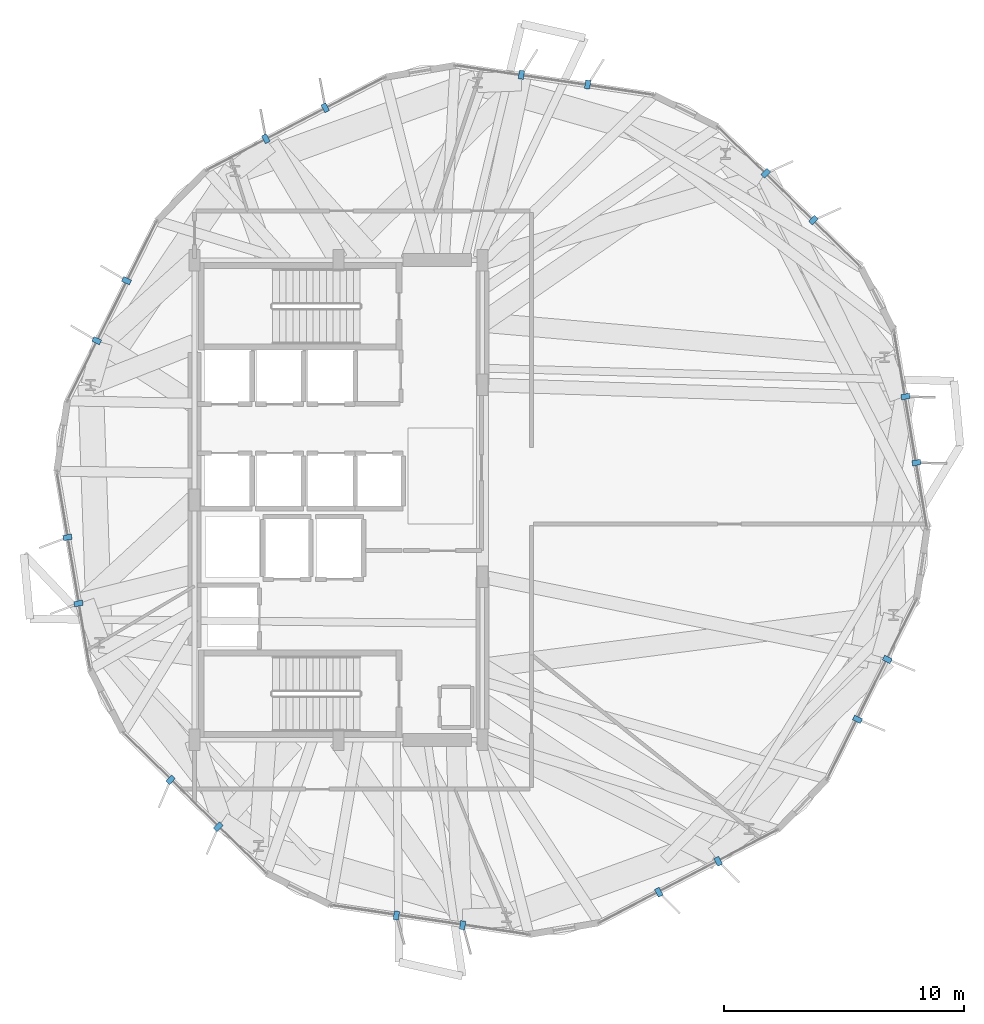
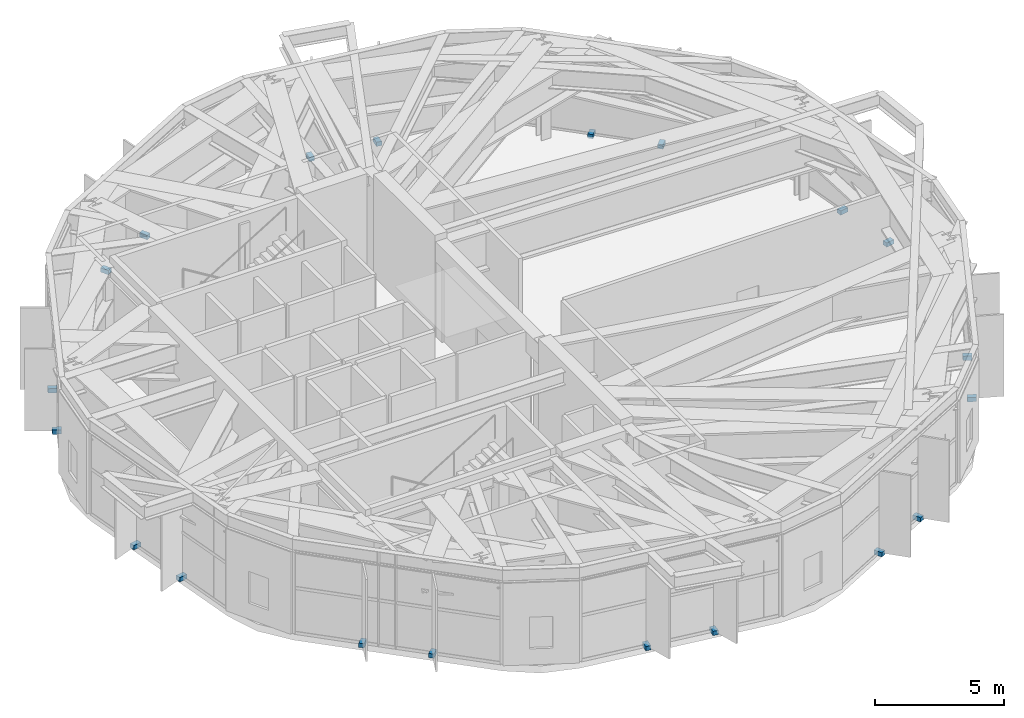
# One storey, part 24 of 27: 20 discrete accessories.
"""IFC4 building model written with IfcOpenShell, lengths in metres."""

from ifc_helpers import new_model, si_unit, direction, frame, origin, origin_2d, place, context, subcontext, project, spatial, rectangle, extrude, material, type_object, element, save


model = new_model("IFC4")

# Units and contexts
model_context = context("Model", 3, precision=1e-05, world=origin(), true_north=direction((0.0, 1.0)))
body_context = subcontext(model_context, "Body", "Model", "MODEL_VIEW")
ifc_project = project(units=[si_unit("LENGTHUNIT", "METRE"), si_unit("AREAUNIT", "SQUARE_METRE"), si_unit("VOLUMEUNIT", "CUBIC_METRE"), si_unit("PLANEANGLEUNIT", "RADIAN"), si_unit("MASSUNIT", "GRAM", prefix="KILO")], contexts=[model_context])

# Site, building, storey
site_placement = place(None, origin())
site = spatial("IfcSite", under=ifc_project, at=site_placement, CompositionType="ELEMENT")
building_placement = place(site_placement, origin())
building = spatial("IfcBuilding", under=site, at=building_placement, Name="Soratama Intermodal Tower", CompositionType="ELEMENT")
storey_placement = place(building_placement, frame((0.0, 0.0, 134.199951171875)))
storey = spatial("IfcBuildingStorey", under=building, at=storey_placement, Name="L32", CompositionType="ELEMENT", Elevation=134.199951171875)

# Discrete accessories
ifc_material = material(Name="Structural steel ASTM A992 Grade 50", Category="steel")
discrete_accessory_type = type_object("IfcDiscreteAccessoryType", Name="AC-FIN-BRACKET", PredefinedType="BRACKET", material=ifc_material)
for number, where, z_axis, x_axis, name in (
    (1, (58.400390625, 36.662353515625, -0.080078125), (0.0, 0.0, 1.0), (0.700411150784, 0.713739602276, 0.0), "L32 Fin Bracket F01-1"),
    (2, (56.40771484375, 38.617919921875, -0.080078125), (0.0, 0.0, 1.0), (0.700411150784, 0.713739602276, 0.0), "L32 Fin Bracket F01-2"),
    (3, (48.986328125, 42.3115234375, -0.080078125), (0.0, 0.0, 1.0), (0.147118911839, 0.989118812772, 0.0), "L32 Fin Bracket F02-1"),
    (4, (46.224609375, 42.722412109375, -0.080078125), (0.0, 0.0, 1.0), (0.147118911839, 0.989118812772, 0.0), "L32 Fin Bracket F02-2"),
    (5, (38.049560546875, 41.348388671875, -0.080078125), (0.0, 0.0, 1.0), (-0.462367751041, 0.886688255701, 0.0), "L32 Fin Bracket F03-1"),
    (6, (35.57373046875, 40.0576171875, -0.080078125), (0.0, 0.0, 1.0), (-0.462367751041, 0.886688255701, 0.0), "L32 Fin Bracket F03-2"),
    (7, (29.767578125, 34.140625, -0.080078125), (0.0, 0.0, 1.0), (-0.895245648325, 0.445572922377, 0.0), "L32 Fin Bracket F04-1"),
    (8, (28.5234375, 31.64111328125, -0.080078125), (0.0, 0.0, 1.0), (-0.895245648325, 0.445572922377, 0.0), "L32 Fin Bracket F04-2"),
    (9, (27.303955078125, 23.441650390625, -0.080078125), (0.0, 0.0, 1.0), (-0.986170136229, -0.165736122828, 0.0), "L32 Fin Bracket F05-1"),
    (10, (27.7666015625, 20.688232421875, -0.080078125), (0.0, 0.0, 1.0), (-0.986170136229, -0.165736122828, 0.0), "L32 Fin Bracket F05-2"),
    (11, (31.599609375, 13.337646484375, -0.080078125), (0.0, 0.0, 1.0), (-0.700411150784, -0.713739602276, 0.0), "L32 Fin Bracket F06-1"),
    (12, (33.59228515625, 11.382080078125, -0.080078125), (0.0, 0.0, 1.0), (-0.700411150784, -0.713739602276, 0.0), "L32 Fin Bracket F06-2"),
    (13, (41.013671875, 7.6884765625, -0.080078125), (0.0, 0.0, 1.0), (-0.147118911839, -0.989118812772, 0.0), "L32 Fin Bracket F07-1"),
    (14, (43.775390625, 7.277587890625, -0.080078125), (0.0, 0.0, 1.0), (-0.147118911839, -0.989118812772, 0.0), "L32 Fin Bracket F07-2"),
    (15, (51.950439453125, 8.651611328125, -0.080078125), (0.0, 0.0, 1.0), (0.462367751041, -0.886688255701, 0.0), "L32 Fin Bracket F08-1"),
    (16, (54.42626953125, 9.9423828125, -0.080078125), (0.0, 0.0, 1.0), (0.462367751041, -0.886688255701, 0.0), "L32 Fin Bracket F08-2"),
    (17, (60.232421875, 15.859375, -0.080078125), (0.0, 0.0, 1.0), (0.895245648325, -0.445572922377, 0.0), "L32 Fin Bracket F09-1"),
    (18, (61.4765625, 18.35888671875, -0.080078125), (0.0, 0.0, 1.0), (0.895245648325, -0.445572922377, 0.0), "L32 Fin Bracket F09-2"),
    (19, (62.696044921875, 26.558349609375, -0.080078125), (0.0, 0.0, 1.0), (0.986170136229, 0.165736122828, 0.0), "L32 Fin Bracket F10-1"),
    (20, (62.2333984375, 29.311767578125, -0.080078125), (0.0, 0.0, 1.0), (0.986170136229, 0.165736122828, 0.0), "L32 Fin Bracket F10-2"),
):
    element("IfcDiscreteAccessory", number, at=place(storey_placement, frame(where, z_axis=z_axis, x_axis=x_axis)), inside=storey, type_object=discrete_accessory_type, Name=name, PredefinedType="BRACKET", context=body_context, shape_type="SweptSolid", body=[
        extrude(rectangle(XDim=0.360107421875, YDim=0.219970703125, at=origin_2d()), origin(), (0.0, 0.0, 1.0), 0.199951171875),
    ])

save(model, "model.ifc")
